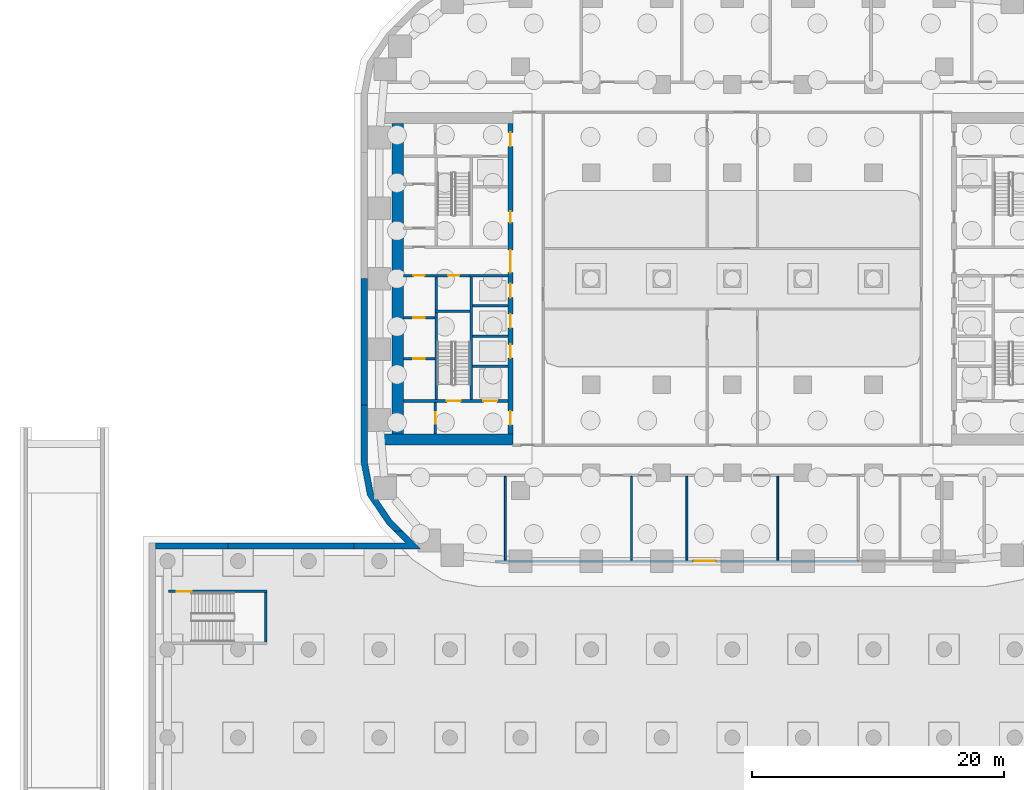
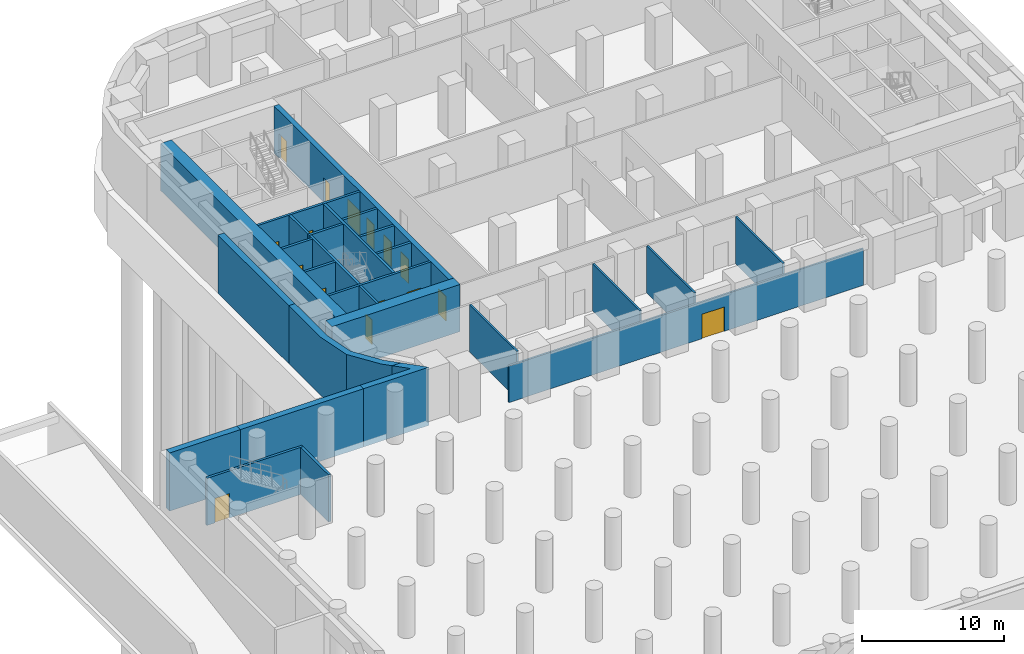
# One storey, part 10 of 23: 28 walls, 16 doors, 16 openings.
"""IFC4 building model written with IfcOpenShell, lengths in metres."""

from ifc_helpers import new_model, si_unit, direction, frame, frame_2d, origin, place, context, subcontext, project, spatial, polyline, rectangle, outline, extrude, material, layer, layer_set, type_object, element, fill, save


model = new_model("IFC4")

# Units and contexts
model_context = context("Model", 3, precision=1e-05, world=origin(), true_north=direction((0.0, 1.0)))
body_context = subcontext(model_context, "Body", "Model", "MODEL_VIEW")
ifc_project = project(units=[si_unit("LENGTHUNIT", "METRE"), si_unit("AREAUNIT", "SQUARE_METRE"), si_unit("VOLUMEUNIT", "CUBIC_METRE"), si_unit("PLANEANGLEUNIT", "RADIAN"), si_unit("MASSUNIT", "GRAM", prefix="KILO")], contexts=[model_context])

# Site, building, storey
site_placement = place(None, origin())
site = spatial("IfcSite", under=ifc_project, at=site_placement, CompositionType="ELEMENT")
building_placement = place(site_placement, origin())
building = spatial("IfcBuilding", under=site, at=building_placement, Name="Kiln Ring Residences", CompositionType="ELEMENT")
storey_placement = place(building_placement, frame((0.0, 0.0, -4.5)))
storey = spatial("IfcBuildingStorey", under=building, at=storey_placement, Name="B1", CompositionType="ELEMENT", Elevation=-4.5)

# Walls
ifc_material_1 = material(Name="Concrete C50/60", Category="concrete")
ifc_layer_1 = layer(ifc_material_1, 0.5)
ifc_layer_set_1 = layer_set([ifc_layer_1], Name="Basement retaining wall 500 C50/60")
wall_type_1 = type_object("IfcWallType", Name="Basement retaining wall 500 C50/60", PredefinedType="SOLIDWALL", material=ifc_layer_set_1)
placement = place(storey_placement, frame((0.0, 0.0, -0.5)))
element("IfcWall", 1, at=placement, inside=storey, type_object=wall_type_1, Name="Basement retaining wall B1 6", PredefinedType="SOLIDWALL", context=body_context, shape_type="SweptSolid", body=[
    extrude(outline(polyline([(-45.75, -20.949951171875), (-45.75, -21.449951171875), (-40.0, -21.449951171875), (-40.0, -20.949951171875), (-45.75, -20.949951171875)])), origin(), (0.0, 0.0, 1.0), 5.0),
])
element("IfcWall", 2, at=placement, inside=storey, type_object=wall_type_1, Name="Basement retaining wall B1 9", PredefinedType="SOLIDWALL", context=body_context, shape_type="SweptSolid", body=[
    extrude(outline(polyline([(-30.0, -21.449951171875), (-30.0, -20.949951171875), (-40.0, -20.949951171875), (-40.0, -21.449951171875), (-30.0, -21.449951171875)])), origin(), (0.0, 0.0, 1.0), 5.0),
])
element("IfcWall", 3, at=placement, inside=storey, type_object=wall_type_1, Name="Basement retaining wall B1 11", PredefinedType="SOLIDWALL", context=body_context, shape_type="SweptSolid", body=[
    extrude(outline(polyline([(-26.1435546875, -20.0), (-26.8505859375, -20.0), (-25.900634765625, -20.949951171875), (-30.0, -20.949951171875), (-30.0, -21.449951171875), (-24.68798828125, -21.449951171875), (-24.705322265625, -21.438232421875), (-26.1435546875, -20.0)])), origin(), (0.0, 0.0, 1.0), 5.0),
])
element("IfcWall", 4, at=placement, inside=storey, type_object=wall_type_1, Name="Basement retaining wall B1 12", PredefinedType="SOLIDWALL", context=body_context, shape_type="SweptSolid", body=[
    extrude(outline(polyline([(-28.94384765625, -17.19091796875), (-27.425048828125, -19.425537109375), (-26.8505859375, -20.0), (-26.1435546875, -20.0), (-27.0380859375, -19.105224609375), (-28.47216796875, -16.99560546875), (-28.949951171875, -14.48974609375), (-28.949951171875, -10.0), (-29.449951171875, -10.0), (-29.449951171875, -14.537109375), (-28.94384765625, -17.19091796875)])), origin(), (0.0, 0.0, 1.0), 5.0),
])
element("IfcWall", 5, at=placement, inside=storey, type_object=wall_type_1, Name="Basement retaining wall B1 13", PredefinedType="SOLIDWALL", context=body_context, shape_type="SweptSolid", body=[
    extrude(outline(polyline([(-29.449951171875, -10.0), (-28.949951171875, -10.0), (-28.949951171875, 0.0), (-29.449951171875, 0.0), (-29.449951171875, -10.0)])), origin(), (0.0, 0.0, 1.0), 5.0),
])
ifc_material_2 = material(Name="Gypsum board on steel studs", Category="steel")
ifc_layer_2 = layer(ifc_material_2, 0.199951171875)
ifc_layer_set_2 = layer_set([ifc_layer_2], Name="CORE-PARTITION-200")
wall_type_2 = type_object("IfcWallType", Name="CORE-PARTITION-200", PredefinedType="PARTITIONING", material=ifc_layer_set_2)
wall_6_placement = place(storey_placement, frame((-23.5, -2.5, 0.0), z_axis=(0.0, 0.0, 1.0), x_axis=(0.0, 1.0, 0.0)))
element("IfcWall", 6, at=wall_6_placement, inside=storey, type_object=wall_type_2, Name="Core partition west B1 1", PredefinedType="PARTITIONING", context=body_context, shape_type="SweptSolid", body=[
    extrude(rectangle(XDim=2.64990234375, YDim=0.199951171875, at=frame_2d((1.324951171875, 0.0))), origin(), (0.0, 0.0, 1.0), 4.050048828125),
])

# Wall, openings, doors
wall_7_placement = place(storey_placement, frame((-20.800048828125, 0.25, 0.0), z_axis=(0.0, 0.0, 1.0), x_axis=(-1.0, 0.0, 0.0)))
wall_7 = element("IfcWall", 7, at=wall_7_placement, inside=storey, type_object=wall_type_2, Name="Core partition west B1 2", PredefinedType="PARTITIONING", context=body_context, shape_type="SweptSolid", body=[
    extrude(rectangle(XDim=5.300048828125, YDim=0.199951171875, at=frame_2d((2.64990234375, 0.0))), origin(), (0.0, 0.0, 1.0), 4.050048828125),
])
opening_1_placement = place(wall_7_placement, frame((0.85009765625, 0.0, 0.0)))
opening_1 = element("IfcOpeningElement", 8, at=opening_1_placement, cuts=wall_7, Name="Opening B1-CW14", PredefinedType="OPENING", context=body_context, shape_type="SweptSolid", body=[
    extrude(rectangle(XDim=0.89990234375, YDim=2.10009765625, at=frame_2d((0.449951171875, 1.050048828125))), frame((0.0, 0.10986328125, 0.0), z_axis=(0.0, -1.0, 0.0), x_axis=(1.0, 0.0, 0.0)), (0.0, 0.0, 1.0), 0.219970703125),
])
opening_2_placement = place(wall_7_placement, frame((3.60009765625, 0.0, 0.0)))
opening_2 = element("IfcOpeningElement", 9, at=opening_2_placement, cuts=wall_7, Name="Opening B1-CW17", PredefinedType="OPENING", context=body_context, shape_type="SweptSolid", body=[
    extrude(rectangle(XDim=0.89990234375, YDim=2.10009765625, at=frame_2d((0.449951171875, 1.050048828125))), frame((0.0, 0.10986328125, 0.0), z_axis=(0.0, -1.0, 0.0), x_axis=(1.0, 0.0, 0.0)), (0.0, 0.0, 1.0), 0.219970703125),
])
ifc_material_3 = material(Name="Steel door leaf", Category="steel")
door_type_1 = type_object("IfcDoorType", Name="CORE-DOOR-ROOM", OperationType="SINGLE_SWING_LEFT", PredefinedType="DOOR", material=ifc_material_3)
door_1_placement = place(opening_1_placement, origin())
door_1 = element("IfcDoor", 10, at=door_1_placement, inside=storey, type_object=door_type_1, Name="Electrical riser room B1-CW14", OperationType="SINGLE_SWING_RIGHT", OverallHeight=2.10009765625, OverallWidth=0.89990234375, PredefinedType="DOOR", context=body_context, shape_type="SweptSolid", body=[
    extrude(rectangle(XDim=0.89990234375, YDim=2.10009765625, at=frame_2d((0.449951171875, 1.050048828125))), frame((0.0, 0.02490234375, 0.0), z_axis=(0.0, -1.0, 0.0), x_axis=(1.0, 0.0, 0.0)), (0.0, 0.0, 1.0), 0.050048828125),
])
fill(opening_1, door_1)
door_2_placement = place(opening_2_placement, origin())
door_2 = element("IfcDoor", 11, at=door_2_placement, inside=storey, type_object=door_type_1, Name="Plant room B1-CW17", OperationType="SINGLE_SWING_LEFT", OverallHeight=2.10009765625, OverallWidth=0.89990234375, PredefinedType="DOOR", context=body_context, shape_type="SweptSolid", body=[
    extrude(rectangle(XDim=0.89990234375, YDim=2.10009765625, at=frame_2d((0.449951171875, 1.050048828125))), frame((0.0, 0.02490234375, 0.0), z_axis=(0.0, -1.0, 0.0), x_axis=(1.0, 0.0, 0.0)), (0.0, 0.0, 1.0), 0.050048828125),
])
fill(opening_2, door_2)

# Wall, opening, door
wall_8_placement = place(storey_placement, frame((-23.550048828125, -12.300048828125, 0.0), z_axis=(0.0, 0.0, 1.0), x_axis=(0.0, 1.0, 0.0)))
wall_8 = element("IfcWall", 12, at=wall_8_placement, inside=storey, type_object=wall_type_2, Name="Core partition west B1 4", PredefinedType="PARTITIONING", context=body_context, shape_type="SweptSolid", body=[
    extrude(rectangle(XDim=2.5, YDim=0.199951171875, at=frame_2d((1.25, 0.0))), origin(), (0.0, 0.0, 1.0), 4.050048828125),
])
opening_3_placement = place(wall_8_placement, frame((0.800048828125, 0.0, 0.0)))
opening_3 = element("IfcOpeningElement", 13, at=opening_3_placement, cuts=wall_8, Name="Opening B1-CW10", PredefinedType="OPENING", context=body_context, shape_type="SweptSolid", body=[
    extrude(rectangle(XDim=0.89990234375, YDim=2.10009765625, at=frame_2d((0.449951171875, 1.050048828125))), frame((0.0, 0.10986328125, 0.0), z_axis=(0.0, -1.0, 0.0), x_axis=(1.0, 0.0, 0.0)), (0.0, 0.0, 1.0), 0.219970703125),
])
door_3_placement = place(opening_3_placement, origin())
door_3 = element("IfcDoor", 14, at=door_3_placement, inside=storey, type_object=door_type_1, Name="Store B1-CW10", OperationType="SINGLE_SWING_RIGHT", OverallHeight=2.10009765625, OverallWidth=0.89990234375, PredefinedType="DOOR", context=body_context, shape_type="SweptSolid", body=[
    extrude(rectangle(XDim=0.89990234375, YDim=2.10009765625, at=frame_2d((0.449951171875, 1.050048828125))), frame((0.0, 0.02490234375, 0.0), z_axis=(0.0, -1.0, 0.0), x_axis=(1.0, 0.0, 0.0)), (0.0, 0.0, 1.0), 0.050048828125),
])
fill(opening_3, door_3)

wall_9_placement = place(storey_placement, frame((-23.60009765625, -6.35009765625, 0.0), z_axis=(0.0, 0.0, 1.0), x_axis=(-1.0, 0.0, 0.0)))
wall_9 = element("IfcWall", 15, at=wall_9_placement, inside=storey, type_object=wall_type_2, Name="Core partition west B1 5", PredefinedType="PARTITIONING", context=body_context, shape_type="SweptSolid", body=[
    extrude(rectangle(XDim=2.5, YDim=0.199951171875, at=frame_2d((1.25, 0.0))), origin(), (0.0, 0.0, 1.0), 4.050048828125),
])
opening_4_placement = place(wall_9_placement, frame((0.800048828125, 0.0, 0.0)))
opening_4 = element("IfcOpeningElement", 16, at=opening_4_placement, cuts=wall_9, Name="Opening B1-CW15", PredefinedType="OPENING", context=body_context, shape_type="SweptSolid", body=[
    extrude(rectangle(XDim=0.89990234375, YDim=2.10009765625, at=frame_2d((0.449951171875, 1.050048828125))), frame((0.0, 0.10986328125, 0.0), z_axis=(0.0, -1.0, 0.0), x_axis=(1.0, 0.0, 0.0)), (0.0, 0.0, 1.0), 0.219970703125),
])
door_4_placement = place(opening_4_placement, origin())
door_4 = element("IfcDoor", 17, at=door_4_placement, inside=storey, type_object=door_type_1, Name="Meter room B1-CW15", OperationType="SINGLE_SWING_RIGHT", OverallHeight=2.10009765625, OverallWidth=0.89990234375, PredefinedType="DOOR", context=body_context, shape_type="SweptSolid", body=[
    extrude(rectangle(XDim=0.89990234375, YDim=2.10009765625, at=frame_2d((0.449951171875, 1.050048828125))), frame((0.0, 0.02490234375, 0.0), z_axis=(0.0, -1.0, 0.0), x_axis=(1.0, 0.0, 0.0)), (0.0, 0.0, 1.0), 0.050048828125),
])
fill(opening_4, door_4)

wall_10_placement = place(storey_placement, frame((-23.60009765625, -3.10009765625, 0.0), z_axis=(0.0, 0.0, 1.0), x_axis=(-1.0, 0.0, 0.0)))
wall_10 = element("IfcWall", 18, at=wall_10_placement, inside=storey, type_object=wall_type_2, Name="Core partition west B1 6", PredefinedType="PARTITIONING", context=body_context, shape_type="SweptSolid", body=[
    extrude(rectangle(XDim=2.5, YDim=0.199951171875, at=frame_2d((1.25, 0.0))), origin(), (0.0, 0.0, 1.0), 4.050048828125),
])
opening_5_placement = place(wall_10_placement, frame((0.800048828125, 0.0, 0.0)))
opening_5 = element("IfcOpeningElement", 19, at=opening_5_placement, cuts=wall_10, Name="Opening B1-CW16", PredefinedType="OPENING", context=body_context, shape_type="SweptSolid", body=[
    extrude(rectangle(XDim=0.89990234375, YDim=2.10009765625, at=frame_2d((0.449951171875, 1.050048828125))), frame((0.0, 0.10986328125, 0.0), z_axis=(0.0, -1.0, 0.0), x_axis=(1.0, 0.0, 0.0)), (0.0, 0.0, 1.0), 0.219970703125),
])
door_5_placement = place(opening_5_placement, origin())
door_5 = element("IfcDoor", 20, at=door_5_placement, inside=storey, type_object=door_type_1, Name="Plant room B1-CW16", OperationType="SINGLE_SWING_LEFT", OverallHeight=2.10009765625, OverallWidth=0.89990234375, PredefinedType="DOOR", context=body_context, shape_type="SweptSolid", body=[
    extrude(rectangle(XDim=0.89990234375, YDim=2.10009765625, at=frame_2d((0.449951171875, 1.050048828125))), frame((0.0, 0.02490234375, 0.0), z_axis=(0.0, -1.0, 0.0), x_axis=(1.0, 0.0, 0.0)), (0.0, 0.0, 1.0), 0.050048828125),
])
fill(opening_5, door_5)

# Walls
ifc_material_4 = material(Name="Gypsum shaft wall system")
ifc_layer_3 = layer(ifc_material_4, 0.199951171875)
ifc_layer_set_3 = layer_set([ifc_layer_3], Name="CORE-SHAFT-WALL-200")
wall_type_3 = type_object("IfcWallType", Name="CORE-SHAFT-WALL-200", PredefinedType="PARTITIONING", material=ifc_layer_set_3)
for number, where, z_axis, x_axis, name in (
    (21, (-17.800048828125, -6.949951171875, 0.0), (0.0, 0.0, 1.0), (-1.0, 0.0, 0.0), "Core partition west B1 9"),
    (22, (-17.800048828125, -4.550048828125, 0.0), (0.0, 0.0, 1.0), (-1.0, 0.0, 0.0), "Core partition west B1 10"),
    (23, (-17.800048828125, -2.14990234375, 0.0), (0.0, 0.0, 1.0), (-1.0, 0.0, 0.0), "Core partition west B1 11"),
):
    element("IfcWall", number, at=place(storey_placement, frame(where, z_axis=z_axis, x_axis=x_axis)), inside=storey, type_object=wall_type_3, Name=name, PredefinedType="PARTITIONING", context=body_context, shape_type="SweptSolid", body=[
        extrude(rectangle(XDim=2.800048828125, YDim=0.199951171875, at=frame_2d((1.39990234375, 0.0))), origin(), (0.0, 0.0, 1.0), 4.050048828125),
    ])
wall_11_placement = place(storey_placement, frame((-17.800048828125, 0.25, 0.0), z_axis=(0.0, 0.0, 1.0), x_axis=(-1.0, 0.0, 0.0)))
element("IfcWall", 24, at=wall_11_placement, inside=storey, type_object=wall_type_3, Name="Core partition west B1 12", PredefinedType="PARTITIONING", context=body_context, shape_type="SweptSolid", body=[
    extrude(rectangle(XDim=3.0, YDim=0.199951171875, at=frame_2d((1.5, 0.0))), origin(), (0.0, 0.0, 1.0), 4.050048828125),
])
ifc_material_5 = material(Name="Concrete C40/50", Category="concrete")
ifc_layer_4 = layer(ifc_material_5, 0.199951171875)
ifc_layer_set_4 = layer_set([ifc_layer_4], Name="CORE-WALL-RC200")
wall_type_4 = type_object("IfcWallType", Name="CORE-WALL-RC200", PredefinedType="SHEAR", material=ifc_layer_set_4)
wall_12_placement = place(storey_placement, frame((-20.699951171875, -9.60009765625, 0.0), z_axis=(0.0, 0.0, 1.0), x_axis=(0.0, 1.0, 0.0)))
element("IfcWall", 25, at=wall_12_placement, inside=storey, type_object=wall_type_4, Name="Core wall west B1 2", PredefinedType="SHEAR", context=body_context, shape_type="SweptSolid", body=[
    extrude(rectangle(XDim=9.75, YDim=0.199951171875, at=frame_2d((4.875, 0.0))), origin(), (0.0, 0.0, 1.0), 4.050048828125),
])

# Wall, openings, doors
wall_13_placement = place(storey_placement, frame((-17.800048828125, -9.699951171875, 0.0), z_axis=(0.0, 0.0, 1.0), x_axis=(-1.0, 0.0, 0.0)))
wall_13 = element("IfcWall", 26, at=wall_13_placement, inside=storey, type_object=wall_type_4, Name="Core wall west B1 8", PredefinedType="SHEAR", context=body_context, shape_type="SweptSolid", body=[
    extrude(rectangle(XDim=8.300048828125, YDim=0.199951171875, at=frame_2d((4.14990234375, 0.0))), origin(), (0.0, 0.0, 1.0), 4.050048828125),
])
opening_6_placement = place(wall_13_placement, frame((0.85009765625, 0.0, 0.0)))
opening_6 = element("IfcOpeningElement", 27, at=opening_6_placement, cuts=wall_13, Name="Opening B1-CW01", PredefinedType="OPENING", context=body_context, shape_type="SweptSolid", body=[
    extrude(rectangle(XDim=1.10009765625, YDim=2.10009765625, at=frame_2d((0.550048828125, 1.050048828125))), frame((0.0, 0.10986328125, 0.0), z_axis=(0.0, -1.0, 0.0), x_axis=(1.0, 0.0, 0.0)), (0.0, 0.0, 1.0), 0.219970703125),
])
opening_7_placement = place(wall_13_placement, frame((3.75, 0.0, 0.0)))
opening_7 = element("IfcOpeningElement", 28, at=opening_7_placement, cuts=wall_13, Name="Opening B1-CW12", PredefinedType="OPENING", context=body_context, shape_type="SweptSolid", body=[
    extrude(rectangle(XDim=1.10009765625, YDim=2.10009765625, at=frame_2d((0.550048828125, 1.050048828125))), frame((0.0, 0.10986328125, 0.0), z_axis=(0.0, -1.0, 0.0), x_axis=(1.0, 0.0, 0.0)), (0.0, 0.0, 1.0), 0.219970703125),
])
ifc_material_6 = material(Name="Steel door leaf", Category="steel")
door_type_2 = type_object("IfcDoorType", Name="CORE-DOOR-LD", OperationType="DOUBLE_DOOR_SLIDING", PredefinedType="DOOR", material=ifc_material_6)
door_6_placement = place(opening_6_placement, origin())
door_6 = element("IfcDoor", 29, at=door_6_placement, inside=storey, type_object=door_type_2, Name="LD W-SV B1-CW01", OperationType="DOUBLE_DOOR_SLIDING", OverallHeight=2.10009765625, OverallWidth=1.10009765625, PredefinedType="DOOR", context=body_context, shape_type="SweptSolid", body=[
    extrude(rectangle(XDim=1.10009765625, YDim=2.10009765625, at=frame_2d((0.550048828125, 1.050048828125))), frame((0.0, 0.02490234375, 0.0), z_axis=(0.0, -1.0, 0.0), x_axis=(1.0, 0.0, 0.0)), (0.0, 0.0, 1.0), 0.050048828125),
])
fill(opening_6, door_6)
ifc_material_7 = material(Name="Steel door leaf", Category="steel")
door_type_3 = type_object("IfcDoorType", Name="CORE-DOOR-STAIR", OperationType="SINGLE_SWING_LEFT", PredefinedType="DOOR", material=ifc_material_7)
door_7_placement = place(opening_7_placement, origin())
door_7 = element("IfcDoor", 30, at=door_7_placement, inside=storey, type_object=door_type_3, Name="Stair W-STS B1-CW12", OperationType="SINGLE_SWING_LEFT", OverallHeight=2.10009765625, OverallWidth=1.10009765625, PredefinedType="DOOR", context=body_context, shape_type="SweptSolid", body=[
    extrude(rectangle(XDim=1.10009765625, YDim=2.10009765625, at=frame_2d((0.550048828125, 1.050048828125))), frame((0.0, 0.02490234375, 0.0), z_axis=(0.0, -1.0, 0.0), x_axis=(1.0, 0.0, 0.0)), (0.0, 0.0, 1.0), 0.050048828125),
])
fill(opening_7, door_7)

# Walls
wall_14_placement = place(storey_placement, frame((-23.5, -9.60009765625, 0.0), z_axis=(0.0, 0.0, 1.0), x_axis=(0.0, 1.0, 0.0)))
element("IfcWall", 31, at=wall_14_placement, inside=storey, type_object=wall_type_4, Name="Core wall west B1 11", PredefinedType="SHEAR", context=body_context, shape_type="SweptSolid", body=[
    extrude(rectangle(XDim=6.900146484375, YDim=0.199951171875, at=frame_2d((3.4501953125, 0.0))), origin(), (0.0, 0.0, 1.0), 4.050048828125),
])
wall_15_placement = place(storey_placement, frame((-20.800048828125, -2.60009765625, 0.0), z_axis=(0.0, 0.0, 1.0), x_axis=(-1.0, 0.0, 0.0)))
element("IfcWall", 32, at=wall_15_placement, inside=storey, type_object=wall_type_4, Name="Core wall west B1 12", PredefinedType="SHEAR", context=body_context, shape_type="SweptSolid", body=[
    extrude(rectangle(XDim=2.800048828125, YDim=0.199951171875, at=frame_2d((1.39990234375, 0.0))), origin(), (0.0, 0.0, 1.0), 4.050048828125),
])

# Wall, openings, doors
ifc_material_8 = material(Name="Concrete C60/75", Category="concrete")
ifc_layer_5 = layer(ifc_material_8, 0.39990234375)
ifc_layer_set_5 = layer_set([ifc_layer_5], Name="CORE-WALL-RC400")
wall_type_5 = type_object("IfcWallType", Name="CORE-WALL-RC400", PredefinedType="SHEAR", material=ifc_layer_set_5)
wall_16_placement = place(storey_placement, frame((-17.60009765625, -12.300048828125, 0.0), z_axis=(0.0, 0.0, 1.0), x_axis=(0.0, 1.0, 0.0)))
wall_16 = element("IfcWall", 33, at=wall_16_placement, inside=storey, type_object=wall_type_5, Name="Core wall west B1 6", PredefinedType="SHEAR", context=body_context, shape_type="SweptSolid", body=[
    extrude(rectangle(XDim=24.60009765625, YDim=0.39990234375, at=frame_2d((12.300048828125, 0.0))), origin(), (0.0, 0.0, 1.0), 4.050048828125),
])
opening_8_placement = place(wall_16_placement, frame((6.0, 0.0, 0.0)))
opening_8 = element("IfcOpeningElement", 34, at=opening_8_placement, cuts=wall_16, Name="Opening B1-CW02", PredefinedType="OPENING", context=body_context, shape_type="SweptSolid", body=[
    extrude(rectangle(XDim=1.10009765625, YDim=2.10009765625, at=frame_2d((0.550048828125, 1.050048828125))), frame((0.0, 0.2099609375, 0.0), z_axis=(0.0, -1.0, 0.0), x_axis=(1.0, 0.0, 0.0)), (0.0, 0.0, 1.0), 0.419921875),
])
opening_9_placement = place(wall_16_placement, frame((8.39990234375, 0.0, 0.0)))
opening_9 = element("IfcOpeningElement", 35, at=opening_9_placement, cuts=wall_16, Name="Opening B1-CW03", PredefinedType="OPENING", context=body_context, shape_type="SweptSolid", body=[
    extrude(rectangle(XDim=1.10009765625, YDim=2.10009765625, at=frame_2d((0.550048828125, 1.050048828125))), frame((0.0, 0.2099609375, 0.0), z_axis=(0.0, -1.0, 0.0), x_axis=(1.0, 0.0, 0.0)), (0.0, 0.0, 1.0), 0.419921875),
])
opening_10_placement = place(wall_16_placement, frame((10.800048828125, 0.0, 0.0)))
opening_10 = element("IfcOpeningElement", 36, at=opening_10_placement, cuts=wall_16, Name="Opening B1-CW04", PredefinedType="OPENING", context=body_context, shape_type="SweptSolid", body=[
    extrude(rectangle(XDim=1.10009765625, YDim=2.10009765625, at=frame_2d((0.550048828125, 1.050048828125))), frame((0.0, 0.2099609375, 0.0), z_axis=(0.0, -1.0, 0.0), x_axis=(1.0, 0.0, 0.0)), (0.0, 0.0, 1.0), 0.419921875),
])
opening_11_placement = place(wall_16_placement, frame((16.75, 0.0, 0.0)))
opening_11 = element("IfcOpeningElement", 37, at=opening_11_placement, cuts=wall_16, Name="Opening B1-CW05", PredefinedType="OPENING", context=body_context, shape_type="SweptSolid", body=[
    extrude(rectangle(XDim=0.89990234375, YDim=2.10009765625, at=frame_2d((0.449951171875, 1.050048828125))), frame((0.0, 0.2099609375, 0.0), z_axis=(0.0, -1.0, 0.0), x_axis=(1.0, 0.0, 0.0)), (0.0, 0.0, 1.0), 0.419921875),
])
opening_12_placement = place(wall_16_placement, frame((22.800048828125, 0.0, 0.0)))
opening_12 = element("IfcOpeningElement", 38, at=opening_12_placement, cuts=wall_16, Name="Opening B1-CW07", PredefinedType="OPENING", context=body_context, shape_type="SweptSolid", body=[
    extrude(rectangle(XDim=1.10009765625, YDim=2.10009765625, at=frame_2d((0.550048828125, 1.050048828125))), frame((0.0, 0.2099609375, 0.0), z_axis=(0.0, -1.0, 0.0), x_axis=(1.0, 0.0, 0.0)), (0.0, 0.0, 1.0), 0.419921875),
])
opening_13_placement = place(wall_16_placement, frame((0.699951171875, 0.0, 0.0)))
opening_13 = element("IfcOpeningElement", 39, at=opening_13_placement, cuts=wall_16, Name="Opening B1-CW08", PredefinedType="OPENING", context=body_context, shape_type="SweptSolid", body=[
    extrude(rectangle(XDim=1.10009765625, YDim=2.10009765625, at=frame_2d((0.550048828125, 1.050048828125))), frame((0.0, 0.2099609375, 0.0), z_axis=(0.0, -1.0, 0.0), x_axis=(1.0, 0.0, 0.0)), (0.0, 0.0, 1.0), 0.419921875),
])
opening_14_placement = place(wall_16_placement, frame((12.77490234375, 0.0, 0.0)))
opening_14 = element("IfcOpeningElement", 40, at=opening_14_placement, cuts=wall_16, Name="Opening B1-CW13", PredefinedType="OPENING", context=body_context, shape_type="SweptSolid", body=[
    extrude(rectangle(XDim=1.800048828125, YDim=2.10009765625, at=frame_2d((0.89990234375, 1.050048828125))), frame((0.0, 0.2099609375, 0.0), z_axis=(0.0, -1.0, 0.0), x_axis=(1.0, 0.0, 0.0)), (0.0, 0.0, 1.0), 0.419921875),
])
door_8_placement = place(opening_8_placement, origin())
door_8 = element("IfcDoor", 41, at=door_8_placement, inside=storey, type_object=door_type_2, Name="LD W-L1 B1-CW02", OperationType="DOUBLE_DOOR_SLIDING", OverallHeight=2.10009765625, OverallWidth=1.10009765625, PredefinedType="DOOR", context=body_context, shape_type="SweptSolid", body=[
    extrude(rectangle(XDim=1.10009765625, YDim=2.10009765625, at=frame_2d((0.550048828125, 1.050048828125))), frame((0.0, 0.02490234375, 0.0), z_axis=(0.0, -1.0, 0.0), x_axis=(1.0, 0.0, 0.0)), (0.0, 0.0, 1.0), 0.050048828125),
])
fill(opening_8, door_8)
door_9_placement = place(opening_9_placement, origin())
door_9 = element("IfcDoor", 42, at=door_9_placement, inside=storey, type_object=door_type_2, Name="LD W-L2 B1-CW03", OperationType="DOUBLE_DOOR_SLIDING", OverallHeight=2.10009765625, OverallWidth=1.10009765625, PredefinedType="DOOR", context=body_context, shape_type="SweptSolid", body=[
    extrude(rectangle(XDim=1.10009765625, YDim=2.10009765625, at=frame_2d((0.550048828125, 1.050048828125))), frame((0.0, 0.02490234375, 0.0), z_axis=(0.0, -1.0, 0.0), x_axis=(1.0, 0.0, 0.0)), (0.0, 0.0, 1.0), 0.050048828125),
])
fill(opening_9, door_9)
door_10_placement = place(opening_10_placement, origin())
door_10 = element("IfcDoor", 43, at=door_10_placement, inside=storey, type_object=door_type_2, Name="LD W-L3 B1-CW04", OperationType="DOUBLE_DOOR_SLIDING", OverallHeight=2.10009765625, OverallWidth=1.10009765625, PredefinedType="DOOR", context=body_context, shape_type="SweptSolid", body=[
    extrude(rectangle(XDim=1.10009765625, YDim=2.10009765625, at=frame_2d((0.550048828125, 1.050048828125))), frame((0.0, 0.02490234375, 0.0), z_axis=(0.0, -1.0, 0.0), x_axis=(1.0, 0.0, 0.0)), (0.0, 0.0, 1.0), 0.050048828125),
])
fill(opening_10, door_10)
ifc_material_9 = material(Name="Steel door leaf", Category="steel")
door_type_4 = type_object("IfcDoorType", Name="CORE-DOOR-LOBBY", OperationType="SINGLE_SWING_LEFT", PredefinedType="DOOR", material=ifc_material_9)
door_11_placement = place(opening_12_placement, origin())
door_11 = element("IfcDoor", 44, at=door_11_placement, inside=storey, type_object=door_type_4, Name="FFL B1-CW07", OperationType="SINGLE_SWING_RIGHT", OverallHeight=2.10009765625, OverallWidth=1.10009765625, PredefinedType="DOOR", context=body_context, shape_type="SweptSolid", body=[
    extrude(rectangle(XDim=1.10009765625, YDim=2.10009765625, at=frame_2d((0.550048828125, 1.050048828125))), frame((0.0, 0.02490234375, 0.0), z_axis=(0.0, -1.0, 0.0), x_axis=(1.0, 0.0, 0.0)), (0.0, 0.0, 1.0), 0.050048828125),
])
fill(opening_12, door_11)
door_12_placement = place(opening_13_placement, origin())
door_12 = element("IfcDoor", 45, at=door_12_placement, inside=storey, type_object=door_type_4, Name="SVL B1-CW08", OperationType="SINGLE_SWING_LEFT", OverallHeight=2.10009765625, OverallWidth=1.10009765625, PredefinedType="DOOR", context=body_context, shape_type="SweptSolid", body=[
    extrude(rectangle(XDim=1.10009765625, YDim=2.10009765625, at=frame_2d((0.550048828125, 1.050048828125))), frame((0.0, 0.02490234375, 0.0), z_axis=(0.0, -1.0, 0.0), x_axis=(1.0, 0.0, 0.0)), (0.0, 0.0, 1.0), 0.050048828125),
])
fill(opening_13, door_12)
ifc_material_10 = material(Name="Steel door leaf", Category="steel")
door_type_5 = type_object("IfcDoorType", Name="CORE-DOOR-PASS", OperationType="DOUBLE_DOOR_SINGLE_SWING", PredefinedType="DOOR", material=ifc_material_10)
door_13_placement = place(opening_14_placement, origin())
door_13 = element("IfcDoor", 46, at=door_13_placement, inside=storey, type_object=door_type_5, Name="Core passage B1-CW13", OperationType="DOUBLE_DOOR_SINGLE_SWING", OverallHeight=2.10009765625, OverallWidth=1.800048828125, PredefinedType="DOOR", context=body_context, shape_type="SweptSolid", body=[
    extrude(rectangle(XDim=1.800048828125, YDim=2.10009765625, at=frame_2d((0.89990234375, 1.050048828125))), frame((0.0, 0.02490234375, 0.0), z_axis=(0.0, -1.0, 0.0), x_axis=(1.0, 0.0, 0.0)), (0.0, 0.0, 1.0), 0.050048828125),
])
fill(opening_14, door_13)
door_14_placement = place(opening_11_placement, origin())
door_14 = element("IfcDoor", 47, at=door_14_placement, inside=storey, type_object=door_type_1, Name="Housekeeping store B1-CW05", OperationType="SINGLE_SWING_LEFT", OverallHeight=2.10009765625, OverallWidth=0.89990234375, PredefinedType="DOOR", context=body_context, shape_type="SweptSolid", body=[
    extrude(rectangle(XDim=0.89990234375, YDim=2.10009765625, at=frame_2d((0.449951171875, 1.050048828125))), frame((0.0, 0.02490234375, 0.0), z_axis=(0.0, -1.0, 0.0), x_axis=(1.0, 0.0, 0.0)), (0.0, 0.0, 1.0), 0.050048828125),
])
fill(opening_11, door_14)

# Walls
ifc_material_11 = material(Name="Concrete C60/75", Category="concrete")
ifc_layer_6 = layer(ifc_material_11, 0.89990234375)
ifc_layer_set_6 = layer_set([ifc_layer_6], Name="CORE-WALL-RC900")
wall_type_6 = type_object("IfcWallType", Name="CORE-WALL-RC900", PredefinedType="SHEAR", material=ifc_layer_set_6)
wall_17_placement = place(storey_placement, frame((-17.39990234375, -12.75, 0.0), z_axis=(0.0, 0.0, 1.0), x_axis=(-1.0, 0.0, 0.0)))
element("IfcWall", 48, at=wall_17_placement, inside=storey, type_object=wall_type_6, Name="Core wall west B1 5", PredefinedType="SHEAR", context=body_context, shape_type="SweptSolid", body=[
    extrude(rectangle(XDim=10.400146484375, YDim=0.89990234375, at=frame_2d((5.2001953125, 0.0))), origin(), (0.0, 0.0, 1.0), 4.050048828125),
])
wall_18_placement = place(storey_placement, frame((-26.550048828125, -12.300048828125, 0.0), z_axis=(0.0, 0.0, 1.0), x_axis=(0.0, 1.0, 0.0)))
element("IfcWall", 49, at=wall_18_placement, inside=storey, type_object=wall_type_6, Name="Core wall west B1 7", PredefinedType="SHEAR", context=body_context, shape_type="SweptSolid", body=[
    extrude(rectangle(XDim=24.60009765625, YDim=0.89990234375, at=frame_2d((12.300048828125, 0.0))), origin(), (0.0, 0.0, 1.0), 4.050048828125),
])

# Wall, opening, door
ifc_material_12 = material(Name="Brick masonry partition", Category="masonry")
ifc_layer_7 = layer(ifc_material_12, 0.14990234375)
ifc_layer_set_7 = layer_set([ifc_layer_7], Name="PARTITION-150-ei60")
wall_type_7 = type_object("IfcWallType", Name="PARTITION-150-ei60", PredefinedType="PARTITIONING", material=ifc_layer_set_7)
wall_19_placement = place(storey_placement, frame((-18.7900390625, -22.39990234375, 0.0), z_axis=(0.0, 0.0, 1.0), x_axis=(1.0, 0.0, 0.0)))
wall_19 = element("IfcWall", 50, at=wall_19_placement, inside=storey, type_object=wall_type_7, Name="Partition 005", PredefinedType="PARTITIONING", context=body_context, shape_type="SweptSolid", body=[
    extrude(rectangle(XDim=28.7900390625, YDim=0.14990234375, at=frame_2d((14.39501953125, 0.0))), origin(), (0.0, 0.0, 1.0), 3.14990234375),
])
opening_15_placement = place(wall_19_placement, frame((15.68994140625, 0.0, 0.0)))
opening_15 = element("IfcOpeningElement", 51, at=opening_15_placement, cuts=wall_19, Name="Opening B1-D012", PredefinedType="OPENING", context=body_context, shape_type="SweptSolid", body=[
    extrude(rectangle(XDim=1.800048828125, YDim=2.10009765625, at=frame_2d((0.89990234375, 1.050048828125))), frame((0.0, 0.0849609375, 0.0), z_axis=(0.0, -1.0, 0.0), x_axis=(1.0, 0.0, 0.0)), (0.0, 0.0, 1.0), 0.169921875),
])
ifc_material_13 = material(Name="Steel faced fire door leaf", Category="steel")
door_type_6 = type_object("IfcDoorType", Name="FLAT-DOOR-1800-FR", OperationType="SINGLE_SWING_LEFT", PredefinedType="DOOR", material=ifc_material_13)
door_15_placement = place(opening_15_placement, origin())
door_15 = element("IfcDoor", 52, at=door_15_placement, inside=storey, type_object=door_type_6, Name="Door B1-D012", OperationType="SINGLE_SWING_RIGHT", OverallHeight=2.10009765625, OverallWidth=1.800048828125, PredefinedType="DOOR", context=body_context, shape_type="SweptSolid", body=[
    extrude(rectangle(XDim=1.800048828125, YDim=2.10009765625, at=frame_2d((0.89990234375, 1.050048828125))), frame((0.0, 0.02490234375, 0.0), z_axis=(0.0, -1.0, 0.0), x_axis=(1.0, 0.0, 0.0)), (0.0, 0.0, 1.0), 0.050048828125),
])
fill(opening_15, door_15)

# Walls
for number, where, z_axis, x_axis, name in (
    (53, (-18.0, -22.324951171875, 0.0), (0.0, 0.0, 1.0), (0.0, 1.0, 0.0), "Partition 015"),
    (54, (-8.0, -22.324951171875, 0.0), (0.0, 0.0, 1.0), (0.0, 1.0, 0.0), "Partition 018"),
    (55, (-3.60009765625, -22.324951171875, 0.0), (0.0, 0.0, 1.0), (0.0, 1.0, 0.0), "Partition 020"),
    (56, (3.60009765625, -22.324951171875, 0.0), (0.0, 0.0, 1.0), (0.0, 1.0, 0.0), "Partition 026"),
):
    element("IfcWall", number, at=place(storey_placement, frame(where, z_axis=z_axis, x_axis=x_axis)), inside=storey, type_object=wall_type_7, Name=name, PredefinedType="PARTITIONING", context=body_context, shape_type="SweptSolid", body=[
        extrude(rectangle(XDim=6.64990234375, YDim=0.14990234375, at=frame_2d((3.324951171875, 0.0))), origin(), (0.0, 0.0, 1.0), 4.050048828125),
    ])

# Wall, opening, door
ifc_material_14 = material(Name="Concrete C40/50", Category="concrete")
ifc_layer_8 = layer(ifc_material_14, 0.199951171875)
ifc_layer_set_8 = layer_set([ifc_layer_8], Name="PODIUM-STAIR-WALL-200")
wall_type_8 = type_object("IfcWallType", Name="PODIUM-STAIR-WALL-200", PredefinedType="SHEAR", material=ifc_layer_set_8)
wall_20_placement = place(storey_placement, frame((-44.7099609375, -24.800048828125, 0.0), z_axis=(0.0, 0.0, 1.0), x_axis=(1.0, 0.0, 0.0)))
wall_20 = element("IfcWall", 57, at=wall_20_placement, inside=storey, type_object=wall_type_8, Name="Stair wall 002", PredefinedType="SHEAR", context=body_context, shape_type="SweptSolid", body=[
    extrude(rectangle(XDim=7.81005859375, YDim=0.199951171875, at=frame_2d((3.905029296875, 0.0))), origin(), (0.0, 0.0, 1.0), 4.050048828125),
])
opening_16_placement = place(wall_20_placement, frame((0.64990234375, 0.0, 0.0)))
opening_16 = element("IfcOpeningElement", 58, at=opening_16_placement, cuts=wall_20, Name="Opening B1-D031", PredefinedType="OPENING", context=body_context, shape_type="SweptSolid", body=[
    extrude(rectangle(XDim=1.199951171875, YDim=2.10009765625, at=frame_2d((0.60009765625, 1.050048828125))), frame((0.0, 0.10986328125, 0.0), z_axis=(0.0, -1.0, 0.0), x_axis=(1.0, 0.0, 0.0)), (0.0, 0.0, 1.0), 0.219970703125),
])
ifc_material_15 = material(Name="Steel faced fire door leaf", Category="steel")
door_type_7 = type_object("IfcDoorType", Name="FLAT-DOOR-1200-FR", OperationType="SINGLE_SWING_LEFT", PredefinedType="DOOR", material=ifc_material_15)
door_16_placement = place(opening_16_placement, origin())
door_16 = element("IfcDoor", 59, at=door_16_placement, inside=storey, type_object=door_type_7, Name="Door B1-D031", OperationType="SINGLE_SWING_LEFT", OverallHeight=2.10009765625, OverallWidth=1.199951171875, PredefinedType="DOOR", context=body_context, shape_type="SweptSolid", body=[
    extrude(rectangle(XDim=1.199951171875, YDim=2.10009765625, at=frame_2d((0.60009765625, 1.050048828125))), frame((0.0, 0.02490234375, 0.0), z_axis=(0.0, -1.0, 0.0), x_axis=(1.0, 0.0, 0.0)), (0.0, 0.0, 1.0), 0.050048828125),
])
fill(opening_16, door_16)

# Wall
wall_21_placement = place(storey_placement, frame((-37.0, -28.800048828125, 0.0), z_axis=(0.0, 0.0, 1.0), x_axis=(0.0, 1.0, 0.0)))
element("IfcWall", 60, at=wall_21_placement, inside=storey, type_object=wall_type_8, Name="Stair wall 014", PredefinedType="SHEAR", context=body_context, shape_type="SweptSolid", body=[
    extrude(rectangle(XDim=3.900146484375, YDim=0.199951171875, at=frame_2d((1.9501953125, 0.0))), origin(), (0.0, 0.0, 1.0), 4.050048828125),
])

save(model, "model.ifc")
